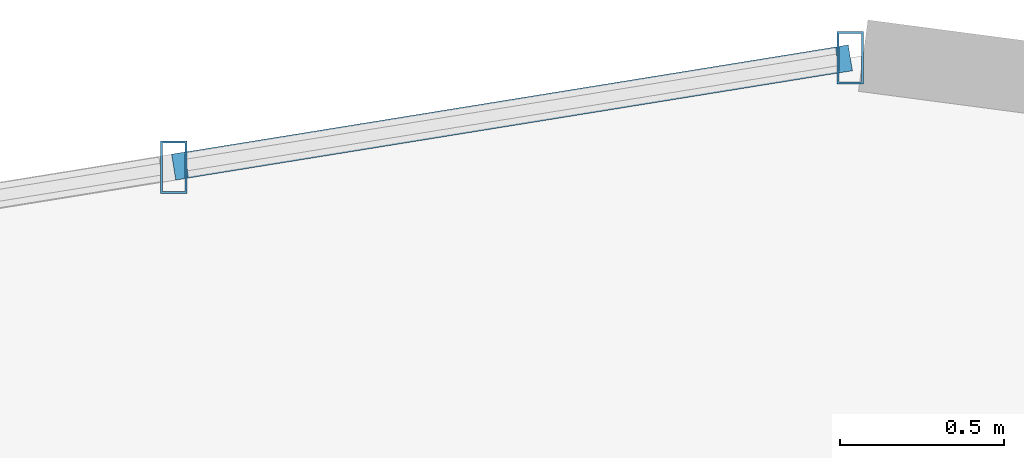
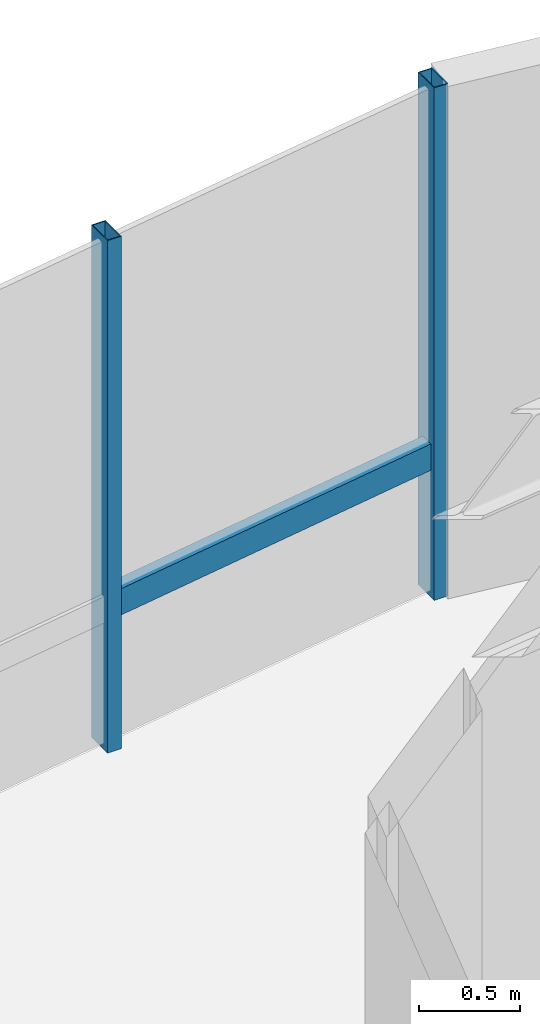
# One storey, part 16 of 22: 3 members, 1 element without a shape of its own.
"""IFC4 building model written with IfcOpenShell, lengths in metres."""

from ifc_helpers import new_model, si_unit, direction, frame, origin, origin_2d, place, context, subcontext, project, spatial, hollow_rectangle, extrude, source, transform, mapped, material, material_profile, profile_set, type_object, element, aggregate, save


model = new_model("IFC4")

# Units and contexts
model_context = context("Model", 3, precision=1e-05, world=origin(), true_north=direction((0.0, 1.0)))
body_context = subcontext(model_context, "Body", "Model", "MODEL_VIEW")
ifc_project = project(units=[si_unit("LENGTHUNIT", "METRE"), si_unit("AREAUNIT", "SQUARE_METRE"), si_unit("VOLUMEUNIT", "CUBIC_METRE"), si_unit("PLANEANGLEUNIT", "RADIAN"), si_unit("MASSUNIT", "GRAM", prefix="KILO")], contexts=[model_context])

# Site, building, storey
site_placement = place(None, origin())
site = spatial("IfcSite", under=ifc_project, at=site_placement, CompositionType="ELEMENT")
building_placement = place(site_placement, origin())
building = spatial("IfcBuilding", under=site, at=building_placement, Name="Sahyath Konkavel Grand Hotel", CompositionType="ELEMENT")
storey_placement = place(building_placement, frame((0.0, 0.0, 244.5)))
storey = spatial("IfcBuildingStorey", under=building, at=storey_placement, Name="L68", CompositionType="ELEMENT", Elevation=244.5)

# Curtain wall, members
ifc_material_1 = material(Name="Anodised Bronze Aluminium & Low-E Glazing", Category="aluminium")
curtain_wall_type = type_object("IfcCurtainWallType", Name="CW-ZONE4", PredefinedType="NOTDEFINED", material=ifc_material_1)
curtain_wall_placement = place(storey_placement, origin())
curtain_wall = element("IfcCurtainWall", 1, at=curtain_wall_placement, inside=storey, type_object=curtain_wall_type, Name="L68 Unitised Curtain Wall F12", PredefinedType="NOTDEFINED")
ifc_material_2 = material(Name="Anodised Bronze Aluminium", Category="aluminium")
ifc_material_profile_1 = material_profile(ifc_material_2, hollow_rectangle(XDim=0.080078125, YDim=0.159912109375, WallThickness=0.006103515625, at=origin_2d()), Name="RHS 160x80x6")
ifc_profile_set_1 = profile_set([ifc_material_profile_1], Name="Anodised Bronze Aluminium")
member_type_1 = type_object("IfcMemberType", Name="CW-MUL-160", PredefinedType="MULLION", material=ifc_profile_set_1)
shared_shape_1 = source(origin(), body_context, "Body", "SweptSolid", [
    extrude(hollow_rectangle(XDim=0.080078125, YDim=0.159912109375, WallThickness=0.006103515625, at=origin_2d()), origin(), (0.0, 0.0, 1.0), 3.110107421875),
])
member_1_placement = place(storey_placement, frame((1.0986328125, 20.2080078125, 0.0), z_axis=(0.0, 0.0, 1.0), x_axis=(1.0, 0.0, 0.0)))
member_1 = element("IfcMember", 2, at=member_1_placement, type_object=member_type_1, Name="L68 Curtain Wall Mullion F12-0", PredefinedType="MULLION", context=body_context, shape_type="MappedRepresentation", body=[
    mapped(shared_shape_1, transform((0.0, 0.0, 0.0), scale=1.0)),
])
member_2_placement = place(storey_placement, frame((-0.97021484375, 19.873779296875, 0.0), z_axis=(0.0, 0.0, 1.0), x_axis=(1.0, 0.0, 0.0)))
member_2 = element("IfcMember", 3, at=member_2_placement, type_object=member_type_1, Name="L68 Curtain Wall Mullion F12-1", PredefinedType="MULLION", context=body_context, shape_type="MappedRepresentation", body=[
    mapped(shared_shape_1, transform((0.0, 0.0, 0.0), scale=1.0)),
])
ifc_material_profile_2 = material_profile(ifc_material_2, hollow_rectangle(XDim=0.080078125, YDim=0.159912109375, WallThickness=0.006103515625, at=origin_2d()), Name="RHS 160x80x6")
ifc_profile_set_2 = profile_set([ifc_material_profile_2], Name="Anodised Bronze Aluminium")
member_type_2 = type_object("IfcMemberType", Name="CW-TRN-160", PredefinedType="USERDEFINED", material=ifc_profile_set_2)
shared_shape_2 = source(origin(), body_context, "Body", "SweptSolid", [
    extrude(hollow_rectangle(XDim=0.080078125, YDim=0.159912109375, WallThickness=0.006103515625, at=origin_2d()), origin(), (0.0, 0.0, 1.0), 2.095703125),
])
member_3_placement = place(storey_placement, frame((1.0986328125, 20.2080078125, 0.85009765625), z_axis=(-0.987200326034, -0.159485160059, 0.0), x_axis=(0.159485160059, -0.987200326034, 0.0)))
member_3 = element("IfcMember", 4, at=member_3_placement, type_object=member_type_2, Name="L68 Curtain Wall Transom F12-0-spandrel", ObjectType="TRANSOM", PredefinedType="USERDEFINED", context=body_context, shape_type="MappedRepresentation", body=[
    mapped(shared_shape_2, transform((0.0, 0.0, 0.0), scale=1.0)),
])
aggregate(curtain_wall, [member_1, member_2, member_3])

save(model, "model.ifc")
